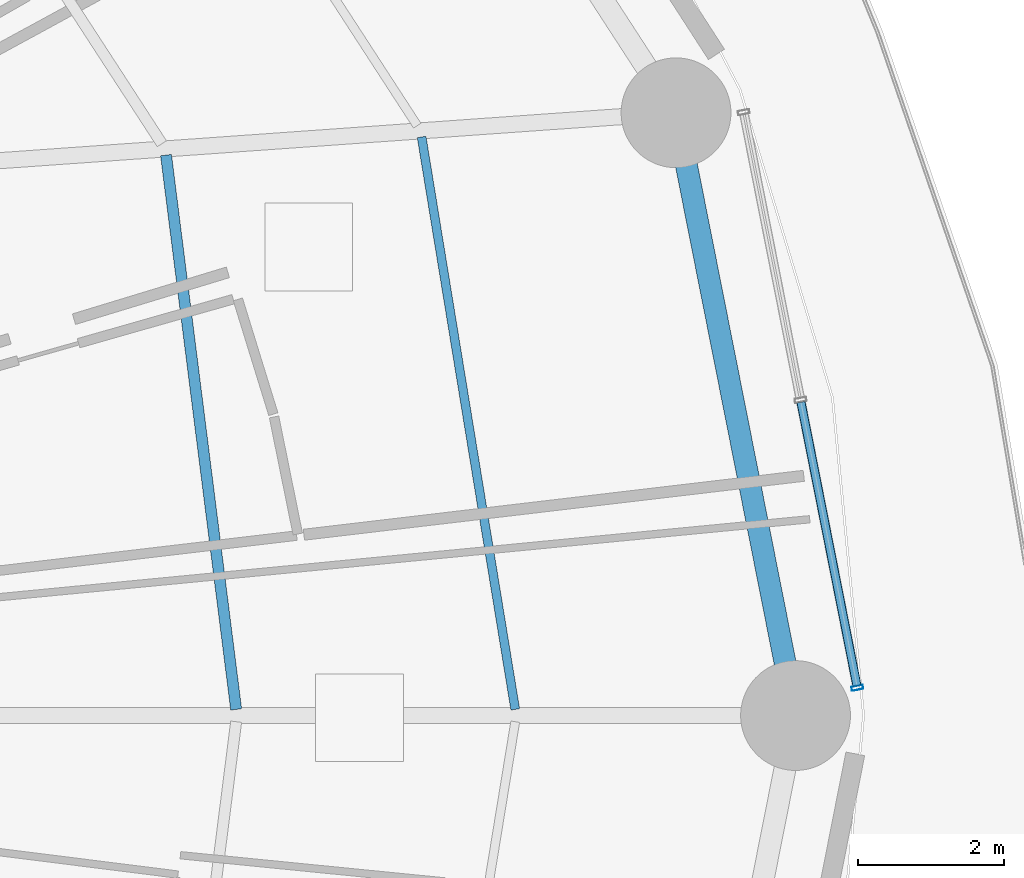
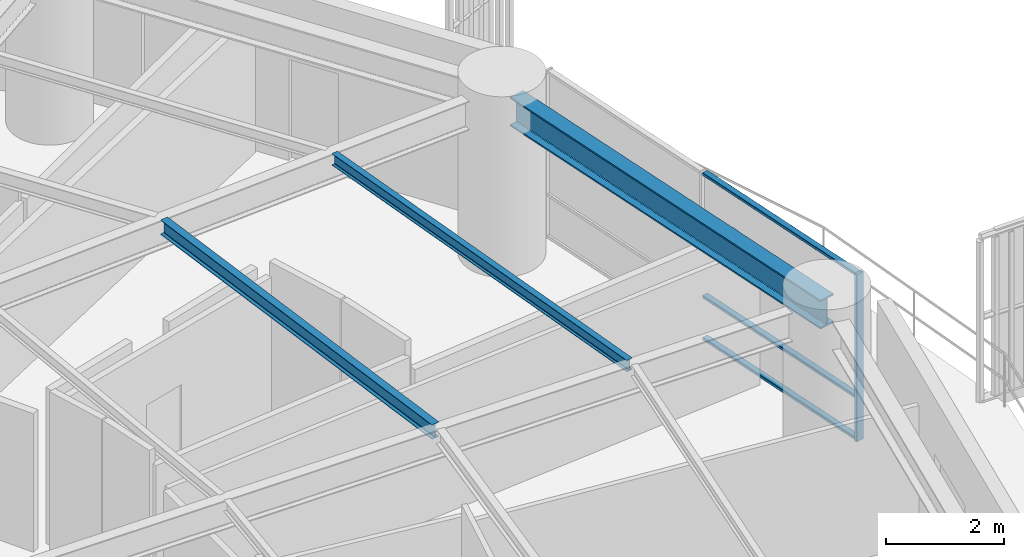
# One storey, part 13 of 32: 4 members, 3 beams, 1 element without a shape of its own.
"""IFC4 building model written with IfcOpenShell, lengths in metres."""

from ifc_helpers import new_model, si_unit, direction, frame, origin, origin_2d, place, context, subcontext, project, spatial, hollow_rectangle, i_section, extrude, material, layer, layer_set, material_profile, profile_set, type_object, element, aggregate, save


model = new_model("IFC4")

# Units and contexts
model_context = context("Model", 3, precision=1e-05, world=origin(), true_north=direction((0.0, 1.0)))
body_context = subcontext(model_context, "Body", "Model", "MODEL_VIEW")
ifc_project = project(units=[si_unit("LENGTHUNIT", "METRE"), si_unit("AREAUNIT", "SQUARE_METRE"), si_unit("VOLUMEUNIT", "CUBIC_METRE"), si_unit("PLANEANGLEUNIT", "RADIAN"), si_unit("MASSUNIT", "GRAM", prefix="KILO")], contexts=[model_context])

# Site, building, storey
site_placement = place(None, origin())
site = spatial("IfcSite", under=ifc_project, at=site_placement, CompositionType="ELEMENT")
building_placement = place(site_placement, origin())
building = spatial("IfcBuilding", under=site, at=building_placement, Name="Kelanora Arch Commons", CompositionType="ELEMENT")
storey_placement = place(building_placement, frame((0.0, 0.0, 48.75)))
storey = spatial("IfcBuildingStorey", under=building, at=storey_placement, Name="L12", CompositionType="ELEMENT", Elevation=48.75)

# Beams
ifc_material_1 = material(Name="Steel S355", Category="steel")
ifc_material_profile_1 = material_profile(ifc_material_1, i_section(OverallWidth=0.14990234375, OverallDepth=0.300048828125, WebThickness=0.007080078125, FlangeThickness=0.0107421875, FilletRadius=0.014892578125, at=origin_2d()), Name="IPE300")
ifc_profile_set_1 = profile_set([ifc_material_profile_1], Name="Steel S355")
beam_type_1 = type_object("IfcBeamType", Name="BM-JST-01", PredefinedType="JOIST", material=ifc_profile_set_1)
beam_1_placement = place(storey_placement, frame((93.437255859375, 58.084228515625, 3.340087890625), z_axis=(-0.125565841651, 0.992085288375, 0.0), x_axis=(-0.992085288375, -0.125565841651, 0.0)))
element("IfcBeam", 1, at=beam_1_placement, inside=storey, type_object=beam_type_1, Name="Secondary Chord Joist BJB-00 L12", PredefinedType="JOIST", context=body_context, shape_type="SweptSolid", body=[
    extrude(i_section(OverallWidth=0.14990234375, OverallDepth=0.300048828125, WebThickness=0.007080078125, FlangeThickness=0.0107421875, FilletRadius=0.014892578125, at=origin_2d()), origin(), (0.0, 0.0, 1.0), 7.63330078125),
])
ifc_material_profile_2 = material_profile(ifc_material_1, i_section(OverallWidth=0.1201171875, OverallDepth=0.239990234375, WebThickness=0.006103515625, FlangeThickness=0.009765625, FilletRadius=0.014892578125, at=origin_2d()), Name="IPE240")
ifc_profile_set_2 = profile_set([ifc_material_profile_2], Name="Steel S355")
beam_type_2 = type_object("IfcBeamType", Name="BM-JST-02", PredefinedType="JOIST", material=ifc_profile_set_2)
beam_2_placement = place(storey_placement, frame((97.250244140625, 58.083984375, 3.3701171875), z_axis=(-0.161400737199, 0.986888951216, 0.0), x_axis=(-0.986888951216, -0.161400737199, 0.0)))
element("IfcBeam", 2, at=beam_2_placement, inside=storey, type_object=beam_type_2, Name="Secondary Chord Joist BJC-00 L12", PredefinedType="JOIST", context=body_context, shape_type="SweptSolid", body=[
    extrude(i_section(OverallWidth=0.1201171875, OverallDepth=0.239990234375, WebThickness=0.006103515625, FlangeThickness=0.009765625, FilletRadius=0.014892578125, at=origin_2d()), origin(), (0.0, 0.0, 1.0), 7.9248046875),
])
ifc_material_profile_3 = material_profile(ifc_material_1, i_section(OverallWidth=0.300048828125, OverallDepth=0.60009765625, WebThickness=0.015380859375, FlangeThickness=0.030029296875, FilletRadius=0.027099609375, at=origin_2d()), Name="HEB600")
ifc_profile_set_3 = profile_set([ifc_material_profile_3], Name="Steel S355")
beam_type_3 = type_object("IfcBeamType", Name="BM-SPN-Z1", PredefinedType="SPANDREL", material=ifc_profile_set_3)
beam_3_placement = place(storey_placement, frame((101.080078125, 58.0, 3.18994140625), z_axis=(-0.194522790633, 0.980897998736, 0.0), x_axis=(-0.980897998736, -0.194522790633, 0.0)))
element("IfcBeam", 3, at=beam_3_placement, inside=storey, type_object=beam_type_3, Name="Perimeter Spandrel Beam BS-00 L12", PredefinedType="SPANDREL", context=body_context, shape_type="SweptSolid", body=[
    extrude(i_section(OverallWidth=0.300048828125, OverallDepth=0.60009765625, WebThickness=0.015380859375, FlangeThickness=0.030029296875, FilletRadius=0.027099609375, at=origin_2d()), origin(), (0.0, 0.0, 1.0), 8.01611328125),
])

# Curtain wall, members
ifc_material_2 = material(Name="Terracotta ceramic-fritted low-E glass and aluminium", Category="masonry")
ifc_layer = layer(ifc_material_2, 0.159912109375)
ifc_layer_set = layer_set([ifc_layer], Name="Terracotta ceramic-fritted low-E glass and aluminium")
curtain_wall_type = type_object("IfcCurtainWallType", Name="CW-SYS-01", PredefinedType="NOTDEFINED", material=ifc_layer_set)
curtain_wall_placement = place(storey_placement, origin())
curtain_wall = element("IfcCurtainWall", 4, at=curtain_wall_placement, inside=storey, type_object=curtain_wall_type, Name="Unitised Curtain Wall L12-B00", PredefinedType="NOTDEFINED")
ifc_material_3 = material(Name="Powder-coated aluminium terracotta", Category="masonry")
ifc_material_profile_4 = material_profile(ifc_material_3, hollow_rectangle(XDim=0.159912109375, YDim=0.06005859375, WallThickness=0.0048828125, InnerFilletRadius=0.0048828125, OuterFilletRadius=0.010009765625, at=origin_2d()), Name="CWM160x60")
ifc_profile_set_4 = profile_set([ifc_material_profile_4], Name="Powder-coated aluminium terracotta")
member_type_1 = type_object("IfcMemberType", Name="CWM-STD", PredefinedType="MULLION", material=ifc_profile_set_4)
member_1_placement = place(storey_placement, frame((101.925048828125, 58.379150390625, 0.0), z_axis=(0.0, 0.0, 1.0), x_axis=(-0.981052110579, -0.193744048498, 0.0)))
member_1 = element("IfcMember", 5, at=member_1_placement, type_object=member_type_1, Name="CW-01 mullion 1", PredefinedType="MULLION", context=body_context, shape_type="SweptSolid", body=[
    extrude(hollow_rectangle(XDim=0.159912109375, YDim=0.06005859375, WallThickness=0.0048828125, InnerFilletRadius=0.0048828125, OuterFilletRadius=0.010009765625, at=origin_2d()), origin(), (0.0, 0.0, 1.0), 3.47509765625),
])
ifc_material_profile_5 = material_profile(ifc_material_3, hollow_rectangle(XDim=0.1201171875, YDim=0.06005859375, WallThickness=0.0048828125, InnerFilletRadius=0.0048828125, OuterFilletRadius=0.010009765625, at=origin_2d()), Name="CWT120x60")
ifc_profile_set_5 = profile_set([ifc_material_profile_5], Name="Powder-coated aluminium terracotta")
member_type_2 = type_object("IfcMemberType", Name="CWT-STD", PredefinedType="USERDEFINED", material=ifc_profile_set_5)
member_2_placement = place(storey_placement, frame((101.919189453125, 58.408447265625, 0.030029296875), z_axis=(-0.193725436624, 0.98105578598, 0.0), x_axis=(-0.98105578598, -0.193725436624, 0.0)))
member_2 = element("IfcMember", 6, at=member_2_placement, type_object=member_type_2, Name="CW-01 transom 1.1", ObjectType="TRANSOM", PredefinedType="USERDEFINED", context=body_context, shape_type="SweptSolid", body=[
    extrude(hollow_rectangle(XDim=0.1201171875, YDim=0.06005859375, WallThickness=0.0048828125, InnerFilletRadius=0.0048828125, OuterFilletRadius=0.010009765625, at=origin_2d()), origin(), (0.0, 0.0, 1.0), 3.9482421875),
])
member_3_placement = place(storey_placement, frame((101.919189453125, 58.408447265625, 0.89990234375), z_axis=(-0.193725436624, 0.98105578598, 0.0), x_axis=(-0.98105578598, -0.193725436624, 0.0)))
member_3 = element("IfcMember", 7, at=member_3_placement, type_object=member_type_2, Name="CW-01 transom 1.2", ObjectType="TRANSOM", PredefinedType="USERDEFINED", context=body_context, shape_type="SweptSolid", body=[
    extrude(hollow_rectangle(XDim=0.1201171875, YDim=0.06005859375, WallThickness=0.0048828125, InnerFilletRadius=0.0048828125, OuterFilletRadius=0.010009765625, at=origin_2d()), origin(), (0.0, 0.0, 1.0), 3.9482421875),
])
member_4_placement = place(storey_placement, frame((101.919189453125, 58.408447265625, 3.445068359375), z_axis=(-0.193725436624, 0.98105578598, 0.0), x_axis=(-0.98105578598, -0.193725436624, 0.0)))
member_4 = element("IfcMember", 8, at=member_4_placement, type_object=member_type_2, Name="CW-01 transom 1.3", ObjectType="TRANSOM", PredefinedType="USERDEFINED", context=body_context, shape_type="SweptSolid", body=[
    extrude(hollow_rectangle(XDim=0.1201171875, YDim=0.06005859375, WallThickness=0.0048828125, InnerFilletRadius=0.0048828125, OuterFilletRadius=0.010009765625, at=origin_2d()), origin(), (0.0, 0.0, 1.0), 3.9482421875),
])
aggregate(curtain_wall, [member_1, member_2, member_3, member_4])

save(model, "model.ifc")
